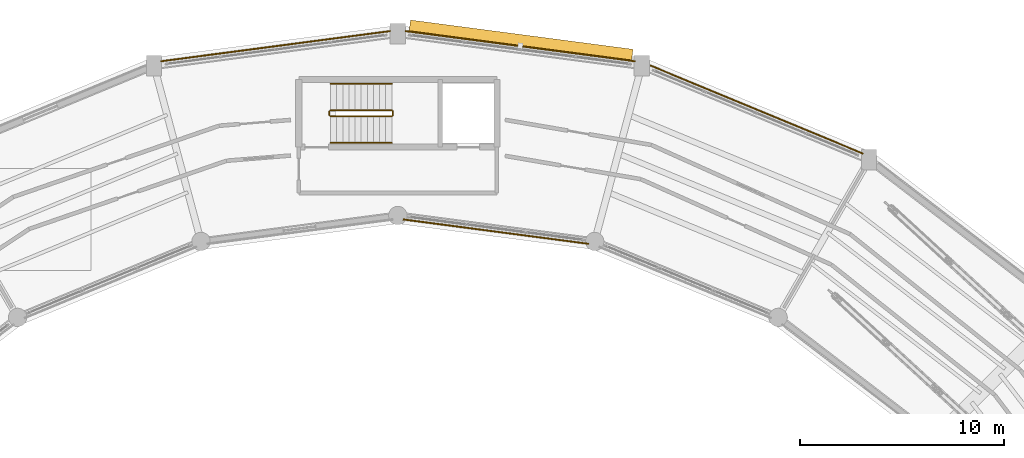
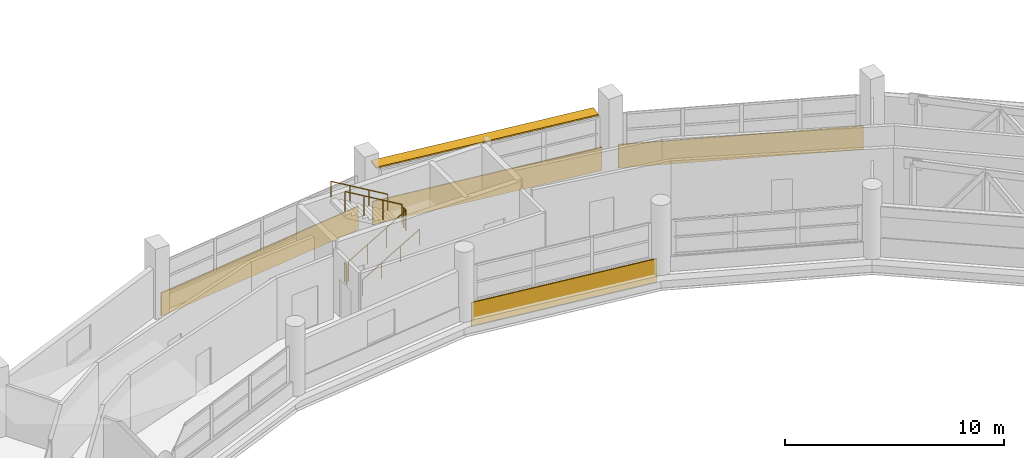
# One storey, part 118 of 121: 6 railings, 4 coverings, 1 shading device.
"""IFC4 building model written with IfcOpenShell, lengths in metres."""

from ifc_helpers import new_model, si_unit, direction, frame, frame_2d, origin, origin_2d, place, context, subcontext, project, spatial, rectangle, circle, extrude, material, layer, layer_set, type_object, element, save


model = new_model("IFC4")

# Units and contexts
model_context = context("Model", 3, precision=1e-05, world=origin(), true_north=direction((0.0, 1.0)))
body_context = subcontext(model_context, "Body", "Model", "MODEL_VIEW")
ifc_project = project(units=[si_unit("LENGTHUNIT", "METRE"), si_unit("AREAUNIT", "SQUARE_METRE"), si_unit("VOLUMEUNIT", "CUBIC_METRE"), si_unit("PLANEANGLEUNIT", "RADIAN"), si_unit("MASSUNIT", "GRAM", prefix="KILO")], contexts=[model_context])

# Site, building, storey
site_placement = place(None, origin())
site = spatial("IfcSite", under=ifc_project, at=site_placement, CompositionType="ELEMENT")
building_placement = place(site_placement, origin())
building = spatial("IfcBuilding", under=site, at=building_placement, Name="Vespera Passage Community Centre", CompositionType="ELEMENT")
storey_placement = place(building_placement, frame((0.0, 0.0, 8.699951171875)))
storey = spatial("IfcBuildingStorey", under=building, at=storey_placement, Name="L02", CompositionType="ELEMENT", Elevation=8.699951171875)

# Coverings
ifc_material_1 = material(Name="Precast concrete f'c 40 MPa", Category="concrete")
ifc_layer = layer(ifc_material_1, 0.06005859375)
ifc_layer_set = layer_set([ifc_layer], Name="Precast concrete f'c 40 MPa")
covering_type = type_object("IfcCoveringType", Name="COV-CLAD-60E", PredefinedType="CLADDING", material=ifc_layer_set)
covering_1_placement = place(storey_placement, frame((90.3486328125, 110.04052734375, -0.47998046875), z_axis=(0.0, 0.0, 1.0), x_axis=(0.923883530636, -0.382673779896, 0.0)))
element("IfcCovering", 1, at=covering_1_placement, inside=storey, type_object=covering_type, Name="V4 L02 Outer White Spandrel Band O4", PredefinedType="CLADDING", context=body_context, shape_type="SweptSolid", body=[
    extrude(rectangle(XDim=11.2724609375, YDim=0.06005859375, at=frame_2d((5.63623046875, 0.0))), origin(), (0.0, 0.0, 1.0), 1.300048828125),
])
covering_2_placement = place(storey_placement, frame((78.372314453125, 111.722412109375, -0.47998046875), z_axis=(0.0, 0.0, 1.0), x_axis=(0.991446004399, -0.130517509785, 0.0)))
element("IfcCovering", 2, at=covering_2_placement, inside=storey, type_object=covering_type, Name="V4 L02 Outer White Spandrel Band O5", PredefinedType="CLADDING", context=body_context, shape_type="SweptSolid", body=[
    extrude(rectangle(XDim=11.328125, YDim=0.06005859375, at=frame_2d((5.6640625, 0.0))), origin(), (0.0, 0.0, 1.0), 1.300048828125),
])
covering_3_placement = place(storey_placement, frame((87.332763671875, 101.31494140625, -0.47998046875), z_axis=(0.0, 0.0, 1.0), x_axis=(-0.99144567161, 0.13052003772, 0.0)))
element("IfcCovering", 3, at=covering_3_placement, inside=storey, type_object=covering_type, Name="V4 L02 Inner Court White Spandrel Band I5", PredefinedType="CLADDING", context=body_context, shape_type="SweptSolid", body=[
    extrude(rectangle(XDim=9.15625, YDim=0.06005859375, at=frame_2d((4.578125, 0.0))), origin(), (0.0, 0.0, 1.0), 1.300048828125),
])
covering_4_placement = place(storey_placement, frame((66.396484375, 110.243896484375, -0.47998046875), z_axis=(0.0, 0.0, 1.0), x_axis=(0.991446004399, 0.130517509785, 0.0)))
element("IfcCovering", 4, at=covering_4_placement, inside=storey, type_object=covering_type, Name="V4 L02 Outer White Spandrel Band O6", PredefinedType="CLADDING", context=body_context, shape_type="SweptSolid", body=[
    extrude(rectangle(XDim=11.328125, YDim=0.06005859375, at=frame_2d((5.6640625, 0.0))), origin(), (0.0, 0.0, 1.0), 1.300048828125),
])

# Railings
ifc_material_2 = material(Name="Steel ASTM A500 Grade C", Category="steel")
railing_type_1 = type_object("IfcRailingType", Name="RL-HAND-900I", PredefinedType="HANDRAIL", material=ifc_material_2)
railing_1_placement = place(storey_placement, frame((74.705078125, 106.25, 0.17724609375)))
element("IfcRailing", 5, at=railing_1_placement, inside=storey, type_object=railing_type_1, Name="L02 ST06 stair handrail 1", PredefinedType="HANDRAIL", context=body_context, shape_type="SweptSolid", body=[
    extrude(circle(Radius=0.02392578125, at=origin_2d()), frame((0.0, 0.0, 0.8759765625), z_axis=(0.86092931783, 0.0, 0.508724591208), x_axis=(0.0, 1.0, 0.0)), (0.0, 0.0, 1.0), 3.484619140625),
    extrude(circle(Radius=0.02099609375, at=origin_2d()), origin(), (0.0, 0.0, 1.0), 0.851806640625),
    extrude(circle(Radius=0.02099609375, at=origin_2d()), frame((1.0, 0.0, 0.5908203125)), (0.0, 0.0, 1.0), 0.851806640625),
    extrude(circle(Radius=0.02099609375, at=origin_2d()), frame((2.0, 0.0, 1.181884765625)), (0.0, 0.0, 1.0), 0.851806640625),
    extrude(circle(Radius=0.02099609375, at=origin_2d()), frame((3.0, 0.0, 1.772705078125)), (0.0, 0.0, 1.0), 0.851806640625),
])
railing_2_placement = place(storey_placement, frame((77.705078125, 109.14990234375, 2.12744140625)))
element("IfcRailing", 6, at=railing_2_placement, inside=storey, type_object=railing_type_1, Name="L02 ST06 stair handrail 2", PredefinedType="HANDRAIL", context=body_context, shape_type="SweptSolid", body=[
    extrude(circle(Radius=0.02392578125, at=origin_2d()), frame((0.0, 0.0, 0.8759765625), z_axis=(-0.86092931783, 0.0, 0.508724591208), x_axis=(0.0, -1.0, 0.0)), (0.0, 0.0, 1.0), 3.484619140625),
    extrude(circle(Radius=0.02099609375, at=origin_2d()), origin(), (0.0, 0.0, 1.0), 0.851806640625),
    extrude(circle(Radius=0.02099609375, at=origin_2d()), frame((-1.0, 0.0, 0.5908203125)), (0.0, 0.0, 1.0), 0.851806640625),
    extrude(circle(Radius=0.02099609375, at=origin_2d()), frame((-2.0, 0.0, 1.181884765625)), (0.0, 0.0, 1.0), 0.851806640625),
    extrude(circle(Radius=0.02099609375, at=origin_2d()), frame((-3.0, 0.0, 1.772705078125)), (0.0, 0.0, 1.0), 0.851806640625),
])
ifc_material_3 = material(Name="Steel ASTM A500 Grade C", Category="steel")
railing_type_2 = type_object("IfcRailingType", Name="RL-STAIR-1100I", PredefinedType="GUARDRAIL", material=ifc_material_3)
railing_3_placement = place(storey_placement, frame((74.705078125, 107.550048828125, 0.17724609375)))
element("IfcRailing", 7, at=railing_3_placement, inside=storey, type_object=railing_type_2, Name="L02 ST06 stair guard 1", PredefinedType="GUARDRAIL", context=body_context, shape_type="SweptSolid", body=[
    extrude(circle(Radius=0.02392578125, at=origin_2d()), frame((0.0, 0.0, 1.09619140625), z_axis=(0.86092931783, 0.0, 0.508724591208), x_axis=(0.0, 1.0, 0.0)), (0.0, 0.0, 1.0), 3.484619140625),
    extrude(circle(Radius=0.02099609375, at=origin_2d()), origin(), (0.0, 0.0, 1.0), 1.072021484375),
    extrude(circle(Radius=0.02099609375, at=origin_2d()), frame((1.0, 0.0, 0.5908203125)), (0.0, 0.0, 1.0), 1.072021484375),
    extrude(circle(Radius=0.02099609375, at=origin_2d()), frame((2.0, 0.0, 1.181884765625)), (0.0, 0.0, 1.0), 1.072021484375),
    extrude(circle(Radius=0.02099609375, at=origin_2d()), frame((3.0, 0.0, 1.772705078125)), (0.0, 0.0, 1.0), 1.072021484375),
])
railing_4_placement = place(storey_placement, frame((77.7548828125, 107.60009765625, 1.949951171875)))
element("IfcRailing", 8, at=railing_4_placement, inside=storey, type_object=railing_type_2, Name="L02 ST06 stair guard 2", PredefinedType="GUARDRAIL", context=body_context, shape_type="SweptSolid", body=[
    extrude(circle(Radius=0.02392578125, at=origin_2d()), frame((0.0, 0.0, 1.09619140625), z_axis=(0.0, 1.0, 0.0), x_axis=(-1.0, 0.0, 0.0)), (0.0, 0.0, 1.0), 0.199951171875),
    extrude(circle(Radius=0.02099609375, at=origin_2d()), origin(), (0.0, 0.0, 1.0), 1.072021484375),
    extrude(circle(Radius=0.02099609375, at=origin_2d()), frame((0.0, 0.199951171875, 0.0)), (0.0, 0.0, 1.0), 1.072021484375),
])
railing_5_placement = place(storey_placement, frame((77.705078125, 107.85009765625, 2.12744140625)))
element("IfcRailing", 9, at=railing_5_placement, inside=storey, type_object=railing_type_2, Name="L02 ST06 stair guard 3", PredefinedType="GUARDRAIL", context=body_context, shape_type="SweptSolid", body=[
    extrude(circle(Radius=0.02392578125, at=origin_2d()), frame((0.0, 0.0, 1.09619140625), z_axis=(-0.86092931783, 0.0, 0.508724591208), x_axis=(0.0, -1.0, 0.0)), (0.0, 0.0, 1.0), 3.484619140625),
    extrude(circle(Radius=0.02099609375, at=origin_2d()), origin(), (0.0, 0.0, 1.0), 1.072021484375),
    extrude(circle(Radius=0.02099609375, at=origin_2d()), frame((-1.0, 0.0, 0.5908203125)), (0.0, 0.0, 1.0), 1.072021484375),
    extrude(circle(Radius=0.02099609375, at=origin_2d()), frame((-2.0, 0.0, 1.181884765625)), (0.0, 0.0, 1.0), 1.072021484375),
    extrude(circle(Radius=0.02099609375, at=origin_2d()), frame((-3.0, 0.0, 1.772705078125)), (0.0, 0.0, 1.0), 1.072021484375),
])
railing_6_placement = place(storey_placement, frame((74.655029296875, 107.60009765625, 0.0)))
element("IfcRailing", 10, at=railing_6_placement, inside=storey, type_object=railing_type_2, Name="L02 ST06 stair guard 4", PredefinedType="GUARDRAIL", context=body_context, shape_type="SweptSolid", body=[
    extrude(circle(Radius=0.02392578125, at=origin_2d()), frame((0.0, 0.0, 1.09619140625), z_axis=(0.0, 1.0, 0.0), x_axis=(-1.0, 0.0, 0.0)), (0.0, 0.0, 1.0), 0.199951171875),
    extrude(circle(Radius=0.02099609375, at=origin_2d()), origin(), (0.0, 0.0, 1.0), 1.072021484375),
    extrude(circle(Radius=0.02099609375, at=origin_2d()), frame((0.0, 0.199951171875, 0.0)), (0.0, 0.0, 1.0), 1.072021484375),
])

# Shading device
ifc_material_4 = material(Name="Anodized aluminium 6063-T6", Category="aluminium")
shading_device_type = type_object("IfcShadingDeviceType", Name="SHD-EYEBROW", PredefinedType="JALOUSIE", material=ifc_material_4)
shading_device_placement = place(storey_placement, frame((84.023193359375, 111.250732421875, 2.605712890625), z_axis=(0.0, 0.0, 1.0), x_axis=(0.991444861374, -0.13052619222, 0.0)))
element("IfcShadingDevice", 11, at=shading_device_placement, inside=storey, type_object=shading_device_type, Name="V4 L02 Outer Solar Eyebrow 5", PredefinedType="JALOUSIE", context=body_context, shape_type="SweptSolid", body=[
    extrude(rectangle(XDim=10.97802734375, YDim=0.60009765625, at=origin_2d()), origin(), (0.0, 0.0, 1.0), 0.080078125),
])

save(model, "model.ifc")
